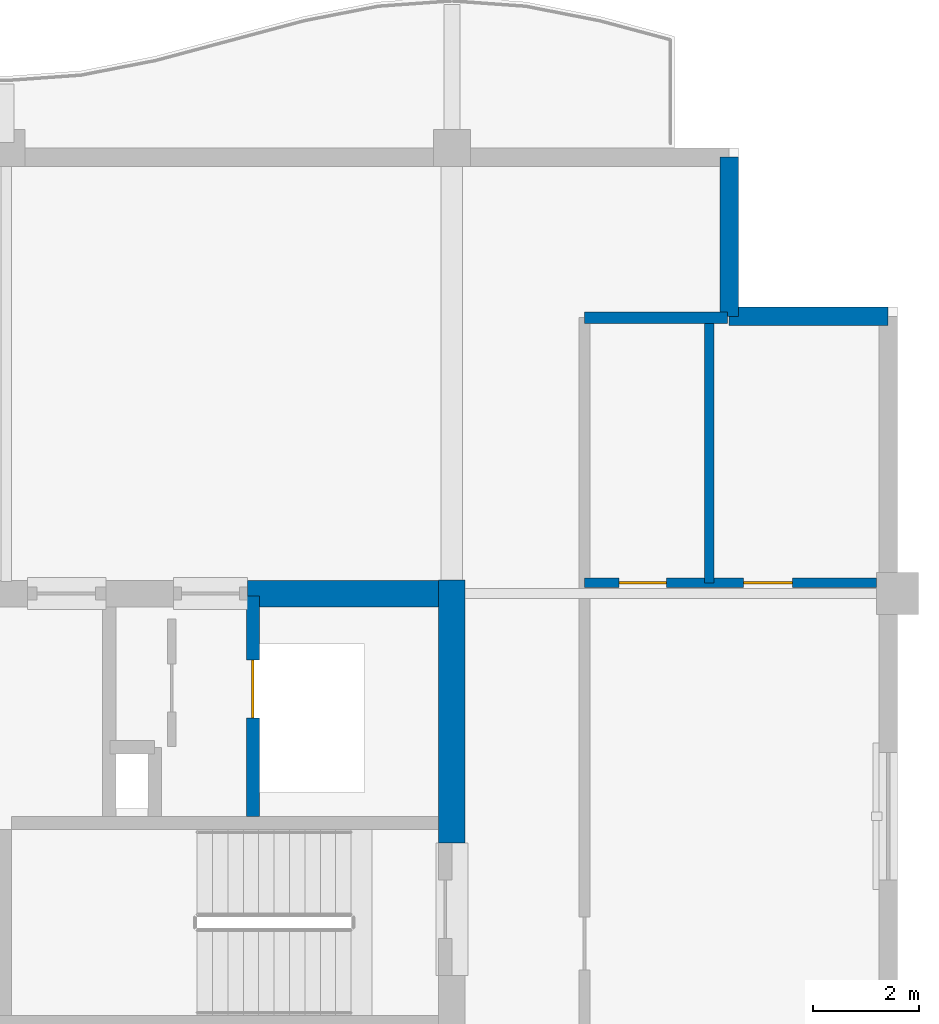
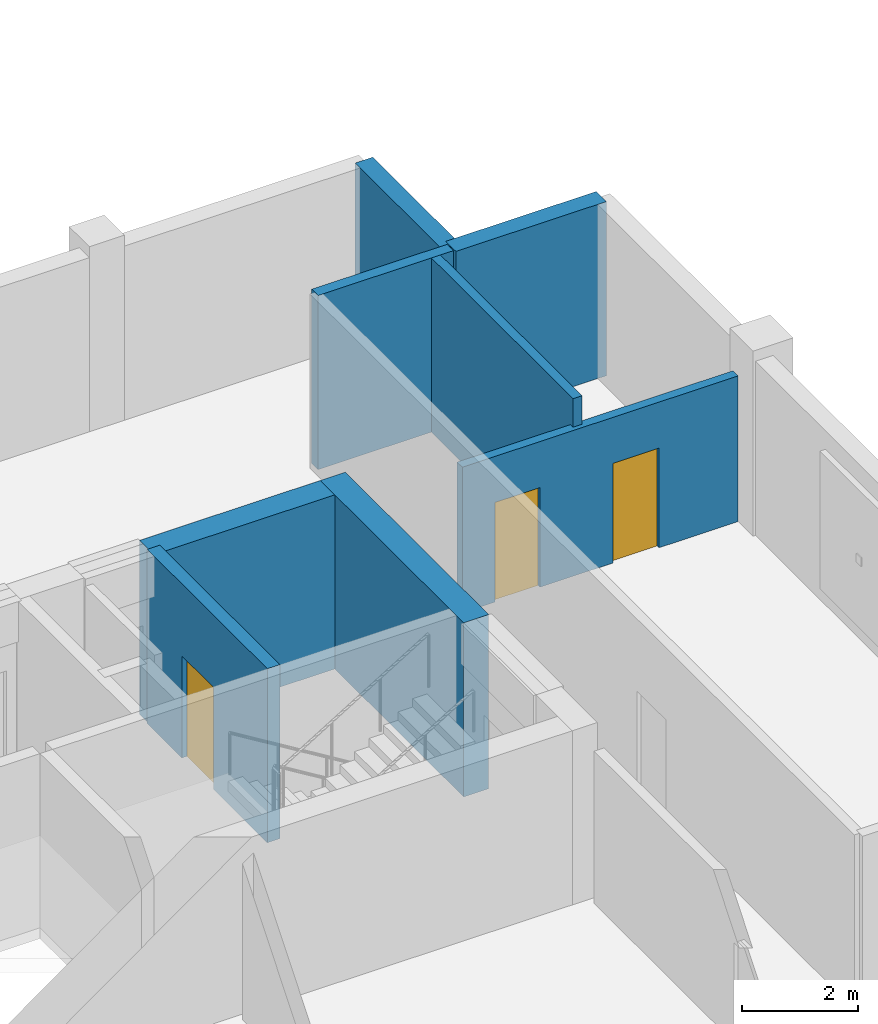
# One storey, part 8 of 17: 8 walls, 3 doors, 3 openings.
"""IFC4 building model written with IfcOpenShell, lengths in metres."""

from ifc_helpers import new_model, si_unit, direction, frame, frame_2d, origin, place, context, subcontext, project, spatial, rectangle, extrude, material, layer, layer_set, type_object, element, fill, save


model = new_model("IFC4")

# Units and contexts
model_context = context("Model", 3, precision=1e-05, world=origin(), true_north=direction((0.0, 1.0)))
body_context = subcontext(model_context, "Body", "Model", "MODEL_VIEW")
ifc_project = project(units=[si_unit("LENGTHUNIT", "METRE"), si_unit("AREAUNIT", "SQUARE_METRE"), si_unit("VOLUMEUNIT", "CUBIC_METRE"), si_unit("PLANEANGLEUNIT", "RADIAN"), si_unit("MASSUNIT", "GRAM", prefix="KILO")], contexts=[model_context])

# Site, building, storey
site_placement = place(None, origin())
site = spatial("IfcSite", under=ifc_project, at=site_placement, CompositionType="ELEMENT")
building_placement = place(site_placement, origin())
building = spatial("IfcBuilding", under=site, at=building_placement, Name="Koriwani Terraces Tower", CompositionType="ELEMENT")
storey_placement = place(building_placement, frame((0.0, 0.0, 316.39990234375)))
storey = spatial("IfcBuildingStorey", under=building, at=storey_placement, Name="L78", CompositionType="ELEMENT", Elevation=316.39990234375)

# Walls
ifc_material_1 = material(Name="Concrete C50/60", Category="concrete")
ifc_layer_1 = layer(ifc_material_1, 0.5, Name="Concrete C50/60")
ifc_layer_set_1 = layer_set([ifc_layer_1], Name="Concrete C50/60")
wall_type_1 = type_object("IfcWallType", Name="WALL_CORE_RC_500", PredefinedType="SHEAR", material=ifc_layer_set_1)
wall_1_placement = place(storey_placement, frame((58.800048828125, 20.5, 0.0), z_axis=(0.0, 0.0, 1.0), x_axis=(0.0, 1.0, 0.0)))
element("IfcWall", 1, at=wall_1_placement, inside=storey, type_object=wall_type_1, Name="L78 East Split Core Shear Wall E2", PredefinedType="SHEAR", context=body_context, shape_type="SweptSolid", body=[
    extrude(rectangle(XDim=4.949951171875, YDim=0.5, at=frame_2d((2.47509765625, 0.0))), origin(), (0.0, 0.0, 1.0), 3.670166015625),
])
wall_2_placement = place(storey_placement, frame((54.949951171875, 25.199951171875, 0.0), z_axis=(0.0, 0.0, 1.0), x_axis=(1.0, 0.0, 0.0)))
element("IfcWall", 2, at=wall_2_placement, inside=storey, type_object=wall_type_1, Name="L78 East Split Core Shear Wall N3", PredefinedType="SHEAR", context=body_context, shape_type="SweptSolid", body=[
    extrude(rectangle(XDim=3.60009765625, YDim=0.5, at=frame_2d((1.800048828125, 0.0))), origin(), (0.0, 0.0, 1.0), 3.670166015625),
])
ifc_material_2 = material(Name="Autoclaved Cellular Concrete Blockwork", Category="masonry")
ifc_layer_2 = layer(ifc_material_2, 0.219970703125, Name="Autoclaved Cellular Concrete Blockwork")
ifc_layer_set_2 = layer_set([ifc_layer_2], Name="Autoclaved Cellular Concrete Blockwork")
wall_type_2 = type_object("IfcWallType", Name="WALL_DEMISING_220", PredefinedType="PARTITIONING", material=ifc_layer_set_2)
wall_3_placement = place(storey_placement, frame((61.300048828125, 30.39990234375, 0.0), z_axis=(0.0, 0.0, 1.0), x_axis=(1.0, 0.0, 0.0)))
element("IfcWall", 3, at=wall_3_placement, inside=storey, type_object=wall_type_2, Name="L78 Interior Wall WET-N-L78", PredefinedType="PARTITIONING", context=body_context, shape_type="SweptSolid", body=[
    extrude(rectangle(XDim=2.699951171875, YDim=0.219970703125, at=frame_2d((1.35009765625, 0.0))), origin(), (0.0, 0.0, 1.0), 3.670166015625),
])
ifc_layer_3 = layer(ifc_material_1, 0.35009765625, Name="Concrete C50/60")
ifc_layer_set_3 = layer_set([ifc_layer_3], Name="Concrete C50/60")
wall_type_3 = type_object("IfcWallType", Name="WALL_EXT_BRUTALIST_350", PredefinedType="STANDARD", material=ifc_layer_set_3)
for number, where, z_axis, x_axis, name in (
    (4, (64.02490234375, 33.425048828125, 0.0), (0.0, 0.0, 1.0), (0.0, -1.0, 0.0), "L78 Fair-Faced Brutalist Exterior Wall (N10)"),
    (5, (64.02490234375, 30.425048828125, 0.0), (0.0, 0.0, 1.0), (1.0, 0.0, 0.0), "L78 Fair-Faced Brutalist Exterior Wall (N11)"),
):
    element("IfcWall", number, at=place(storey_placement, frame(where, z_axis=z_axis, x_axis=x_axis)), inside=storey, type_object=wall_type_3, Name=name, PredefinedType="STANDARD", context=body_context, shape_type="SweptSolid", body=[
        extrude(rectangle(XDim=3.0, YDim=0.35009765625, at=frame_2d((1.5, 0.0))), origin(), (0.0, 0.0, 1.0), 3.670166015625),
    ])

# Wall, openings, doors
ifc_material_3 = material(Name="Fire-Rated Acoustic Gypsum Partition", Category="masonry")
ifc_layer_4 = layer(ifc_material_3, 0.179931640625, Name="Fire-Rated Acoustic Gypsum Partition")
ifc_layer_set_4 = layer_set([ifc_layer_4], Name="Fire-Rated Acoustic Gypsum Partition")
wall_type_4 = type_object("IfcWallType", Name="WALL_PLUMBING_180", PredefinedType="PLUMBINGWALL", material=ifc_layer_set_4)
wall_4_placement = place(storey_placement, frame((61.300048828125, 25.39990234375, 0.0), z_axis=(0.0, 0.0, 1.0), x_axis=(1.0, 0.0, 0.0)))
wall_4 = element("IfcWall", 6, at=wall_4_placement, inside=storey, type_object=wall_type_4, Name="L78 Interior Wall WET-SVB-L78", PredefinedType="PLUMBINGWALL", context=body_context, shape_type="SweptSolid", body=[
    extrude(rectangle(XDim=5.5, YDim=0.179931640625, at=frame_2d((2.75, 0.0))), origin(), (0.0, 0.0, 1.0), 3.070068359375),
])
opening_1_placement = place(wall_4_placement, frame((0.64990234375, 0.0, 0.0)))
opening_1 = element("IfcOpeningElement", 7, at=opening_1_placement, cuts=wall_4, Name="Opening D-07", PredefinedType="OPENING", context=body_context, shape_type="SweptSolid", body=[
    extrude(rectangle(XDim=0.89990234375, YDim=2.10009765625, at=frame_2d((0.449951171875, 1.050048828125))), frame((0.0, 0.10009765625, 0.0), z_axis=(0.0, -1.0, 0.0), x_axis=(1.0, 0.0, 0.0)), (0.0, 0.0, 1.0), 0.199951171875),
])
opening_2_placement = place(wall_4_placement, frame((3.0, 0.0, 0.0)))
opening_2 = element("IfcOpeningElement", 8, at=opening_2_placement, cuts=wall_4, Name="Opening D-06", PredefinedType="OPENING", context=body_context, shape_type="SweptSolid", body=[
    extrude(rectangle(XDim=0.919921875, YDim=2.10009765625, at=frame_2d((0.4599609375, 1.050048828125))), frame((0.0, 0.10009765625, 0.0), z_axis=(0.0, -1.0, 0.0), x_axis=(1.0, 0.0, 0.0)), (0.0, 0.0, 1.0), 0.199951171875),
])
ifc_material_4 = material(Name="Architectural Oak Fire Door", Category="wood")
door_type_1 = type_object("IfcDoorType", Name="DOOR_BATH_INT_900X2100", OperationType="NOTDEFINED", PredefinedType="DOOR", material=ifc_material_4)
door_1_placement = place(opening_1_placement, origin())
door_1 = element("IfcDoor", 9, at=door_1_placement, inside=storey, type_object=door_type_1, Name="Apartment 78ET Bathroom Door", OperationType="SINGLE_SWING_RIGHT", OverallHeight=2.10009765625, OverallWidth=0.89990234375, PredefinedType="DOOR", context=body_context, shape_type="SweptSolid", body=[
    extrude(rectangle(XDim=0.89990234375, YDim=2.10009765625, at=frame_2d((0.449951171875, 1.050048828125))), frame((0.0, 0.02490234375, 0.0), z_axis=(0.0, -1.0, 0.0), x_axis=(1.0, 0.0, 0.0)), (0.0, 0.0, 1.0), 0.050048828125),
])
fill(opening_1, door_1)
door_type_2 = type_object("IfcDoorType", Name="DOOR_ROOM_INT_920X2100", OperationType="NOTDEFINED", PredefinedType="DOOR", material=ifc_material_4)
door_2_placement = place(opening_2_placement, origin())
door_2 = element("IfcDoor", 10, at=door_2_placement, inside=storey, type_object=door_type_2, Name="Apartment 78ET Kitchen Door", OperationType="SINGLE_SWING_LEFT", OverallHeight=2.10009765625, OverallWidth=0.919921875, PredefinedType="DOOR", context=body_context, shape_type="SweptSolid", body=[
    extrude(rectangle(XDim=0.919921875, YDim=2.10009765625, at=frame_2d((0.4599609375, 1.050048828125))), frame((0.0, 0.02490234375, 0.0), z_axis=(0.0, -1.0, 0.0), x_axis=(1.0, 0.0, 0.0)), (0.0, 0.0, 1.0), 0.050048828125),
])
fill(opening_2, door_2)

# Wall
wall_5_placement = place(storey_placement, frame((63.64990234375, 25.39990234375, 0.0), z_axis=(0.0, 0.0, 1.0), x_axis=(0.0, 1.0, 0.0)))
element("IfcWall", 11, at=wall_5_placement, inside=storey, type_object=wall_type_4, Name="L78 Interior Wall WET-SVCM-L78", PredefinedType="PLUMBINGWALL", context=body_context, shape_type="SweptSolid", body=[
    extrude(rectangle(XDim=5.0, YDim=0.179931640625, at=frame_2d((2.5, 0.0))), origin(), (0.0, 0.0, 1.0), 3.670166015625),
])

# Wall, opening, door
ifc_material_5 = material(Name="Concrete C40/50", Category="concrete")
ifc_layer_5 = layer(ifc_material_5, 0.25, Name="Concrete C40/50")
ifc_layer_set_5 = layer_set([ifc_layer_5], Name="Concrete C40/50")
wall_type_5 = type_object("IfcWallType", Name="WALL_SHAFT_RATED_250", PredefinedType="SOLIDWALL", material=ifc_layer_set_5)
wall_6_placement = place(storey_placement, frame((55.050048828125, 21.0, 0.0), z_axis=(0.0, 0.0, 1.0), x_axis=(0.0, 1.0, 0.0)))
wall_6 = element("IfcWall", 12, at=wall_6_placement, inside=storey, type_object=wall_type_5, Name="L78 Interior Wall WIN-CE-L78-SE", PredefinedType="SOLIDWALL", context=body_context, shape_type="SweptSolid", body=[
    extrude(rectangle(XDim=4.14990234375, YDim=0.25, at=frame_2d((2.074951171875, 0.0))), origin(), (0.0, 0.0, 1.0), 3.670166015625),
])
opening_3_placement = place(wall_6_placement, frame((1.85009765625, 0.0, 0.0)))
opening_3 = element("IfcOpeningElement", 13, at=opening_3_placement, cuts=wall_6, Name="Opening LD-01", PredefinedType="OPENING", context=body_context, shape_type="SweptSolid", body=[
    extrude(rectangle(XDim=1.10009765625, YDim=2.14990234375, at=frame_2d((0.550048828125, 1.074951171875))), frame((0.0, 0.135009765625, 0.0), z_axis=(0.0, -1.0, 0.0), x_axis=(1.0, 0.0, 0.0)), (0.0, 0.0, 1.0), 0.27001953125),
])
ifc_material_6 = material(Name="Steel ASTM A572 Grade 50", Category="steel")
door_type_3 = type_object("IfcDoorType", Name="DOOR_LIFT_LANDING_1100X2200", OperationType="NOTDEFINED", PredefinedType="DOOR", material=ifc_material_6)
door_3_placement = place(opening_3_placement, origin())
door_3 = element("IfcDoor", 14, at=door_3_placement, inside=storey, type_object=door_type_3, Name="L78 Goods Lift SE-02 Landing Door", OperationType="SLIDING_TO_LEFT", OverallHeight=2.14990234375, OverallWidth=1.10009765625, PredefinedType="DOOR", context=body_context, shape_type="SweptSolid", body=[
    extrude(rectangle(XDim=1.10009765625, YDim=2.14990234375, at=frame_2d((0.550048828125, 1.074951171875))), frame((0.0, 0.02490234375, 0.0), z_axis=(0.0, -1.0, 0.0), x_axis=(1.0, 0.0, 0.0)), (0.0, 0.0, 1.0), 0.050048828125),
])
fill(opening_3, door_3)

save(model, "model.ifc")
